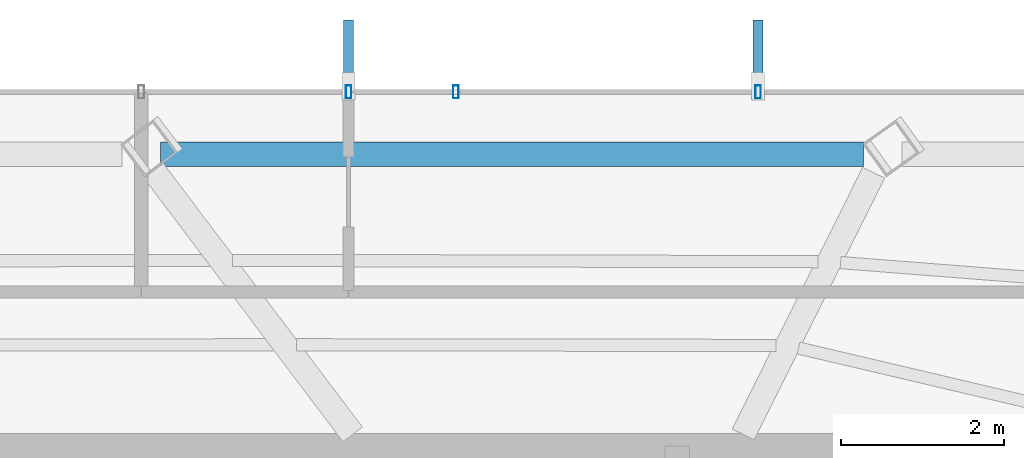
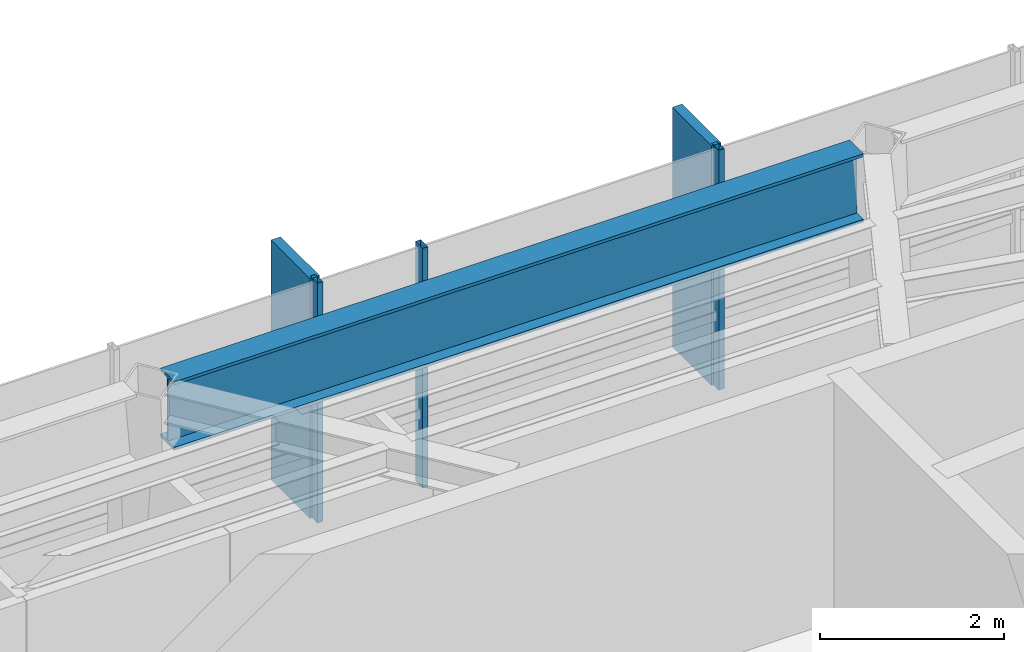
# One storey, part 15 of 25: 5 members, 1 beam, 1 element without a shape of its own.
"""IFC4 building model written with IfcOpenShell, lengths in metres."""

from ifc_helpers import new_model, si_unit, direction, frame, origin, origin_2d, place, context, subcontext, project, spatial, rectangle, hollow_rectangle, i_section, extrude, material, layer, layer_set, material_profile, profile_set, type_object, element, aggregate, save


model = new_model("IFC4")

# Units and contexts
model_context = context("Model", 3, precision=1e-05, world=origin(), true_north=direction((0.0, 1.0)))
body_context = subcontext(model_context, "Body", "Model", "MODEL_VIEW")
ifc_project = project(units=[si_unit("LENGTHUNIT", "METRE"), si_unit("AREAUNIT", "SQUARE_METRE"), si_unit("VOLUMEUNIT", "CUBIC_METRE"), si_unit("PLANEANGLEUNIT", "RADIAN"), si_unit("MASSUNIT", "GRAM", prefix="KILO")], contexts=[model_context])

# Site, building, storey
site_placement = place(None, origin())
site = spatial("IfcSite", under=ifc_project, at=site_placement, CompositionType="ELEMENT")
building_placement = place(site_placement, origin())
building = spatial("IfcBuilding", under=site, at=building_placement, Name="Zarrinselat Tower", CompositionType="ELEMENT")
storey_placement = place(building_placement, frame((0.0, 0.0, 275.39990234375)))
storey = spatial("IfcBuildingStorey", under=building, at=storey_placement, Name="L70", CompositionType="ELEMENT", Elevation=275.39990234375)

# Beam
ifc_material_1 = material(Name="Steel S460M", Category="steel")
ifc_material_profile_1 = material_profile(ifc_material_1, i_section(OverallWidth=0.302001953125, OverallDepth=0.909912109375, WebThickness=0.02099609375, FlangeThickness=0.0400390625, at=origin_2d()), Name="HEM 900")
ifc_profile_set_1 = profile_set([ifc_material_profile_1], Name="Steel S460M")
beam_type = type_object("IfcBeamType", Name="BM-HEM900", PredefinedType="BEAM", material=ifc_profile_set_1)
beam_placement = place(storey_placement, frame((38.63818359375, 46.9833984375, 2.72509765625), z_axis=(1.0, 0.0, 0.0), x_axis=(0.0, 1.0, 0.0)))
element("IfcBeam", 1, at=beam_placement, inside=storey, type_object=beam_type, Name="L70 Perimeter Spandrel Girder SP02", PredefinedType="BEAM", context=body_context, shape_type="SweptSolid", body=[
    extrude(i_section(OverallWidth=0.302001953125, OverallDepth=0.909912109375, WebThickness=0.02099609375, FlangeThickness=0.0400390625, at=origin_2d()), origin(), (0.0, 0.0, 1.0), 8.640625),
])

# Curtain wall, members
ifc_material_2 = material(Name="Extruded Aluminium Alloy EN AW-6063 T6", Category="aluminium")
ifc_layer = layer(ifc_material_2, 0.169921875)
ifc_layer_set = layer_set([ifc_layer], Name="Extruded Aluminium Alloy EN AW-6063 T6")
curtain_wall_type = type_object("IfcCurtainWallType", Name="CWS-RES", PredefinedType="NOTDEFINED", material=ifc_layer_set)
curtain_wall_placement = place(storey_placement, origin())
curtain_wall = element("IfcCurtainWall", 2, at=curtain_wall_placement, inside=storey, type_object=curtain_wall_type, Name="L70 Unitised Curtain Wall CW-L70-E01", PredefinedType="NOTDEFINED")
ifc_material_3 = material(Name="Extruded Aluminium Alloy EN AW-6063 T6", Category="aluminium")
ifc_material_profile_2 = material_profile(ifc_material_3, hollow_rectangle(XDim=0.070068359375, YDim=0.159912109375, WallThickness=0.00390625, at=origin_2d()), Name="RHS 160x70x4")
ifc_profile_set_2 = profile_set([ifc_material_profile_2], Name="Extruded Aluminium Alloy EN AW-6063 T6")
member_type_1 = type_object("IfcMemberType", Name="MEM-CW-MUL2", PredefinedType="MULLION", material=ifc_profile_set_2)
member_1_placement = place(storey_placement, frame((45.9833984375, 47.75, 0.0), z_axis=(0.0, 0.0, 1.0), x_axis=(-1.0, 0.0, 0.0)))
member_1 = element("IfcMember", 3, at=member_1_placement, type_object=member_type_1, Name="CW-L70-E01 Mullion 3", PredefinedType="MULLION", context=body_context, shape_type="SweptSolid", body=[
    extrude(hollow_rectangle(XDim=0.070068359375, YDim=0.159912109375, WallThickness=0.00390625, at=origin_2d()), origin(), (0.0, 0.0, 1.0), 3.18017578125),
])
member_2_placement = place(storey_placement, frame((42.269287109375, 47.75, 0.0), z_axis=(0.0, 0.0, 1.0), x_axis=(-1.0, 0.0, 0.0)))
member_2 = element("IfcMember", 4, at=member_2_placement, type_object=member_type_1, Name="CW-L70-E01 Mullion 4", PredefinedType="MULLION", context=body_context, shape_type="SweptSolid", body=[
    extrude(hollow_rectangle(XDim=0.070068359375, YDim=0.159912109375, WallThickness=0.00390625, at=origin_2d()), origin(), (0.0, 0.0, 1.0), 3.18017578125),
])
member_3_placement = place(storey_placement, frame((40.949951171875, 47.75, 0.0), z_axis=(0.0, 0.0, 1.0), x_axis=(-1.0, 0.0, 0.0)))
member_3 = element("IfcMember", 5, at=member_3_placement, type_object=member_type_1, Name="CW-L70-E01 Mullion 5", PredefinedType="MULLION", context=body_context, shape_type="SweptSolid", body=[
    extrude(hollow_rectangle(XDim=0.070068359375, YDim=0.159912109375, WallThickness=0.00390625, at=origin_2d()), origin(), (0.0, 0.0, 1.0), 3.18017578125),
])
ifc_material_4 = material(Name="Honed Cream Travertine Stone", Category="masonry")
ifc_material_profile_3 = material_profile(ifc_material_4, rectangle(XDim=0.1201171875, YDim=0.85009765625, at=origin_2d()), Name="FIN 850x120")
ifc_profile_set_3 = profile_set([ifc_material_profile_3], Name="Honed Cream Travertine Stone")
member_type_2 = type_object("IfcMemberType", Name="MEM-STONE-FIN", PredefinedType="USERDEFINED", material=ifc_profile_set_3)
member_4_placement = place(storey_placement, frame((45.9833984375, 48.2099609375, 0.0), z_axis=(0.0, 0.0, 1.0), x_axis=(1.0, 0.0, 0.0)))
member_4 = element("IfcMember", 6, at=member_4_placement, type_object=member_type_2, Name="L70 Stone Shading Fin CW-L70-E01-03", ObjectType="FIN", PredefinedType="USERDEFINED", context=body_context, shape_type="SweptSolid", body=[
    extrude(rectangle(XDim=0.1201171875, YDim=0.85009765625, at=origin_2d()), origin(), (0.0, 0.0, 1.0), 3.18017578125),
])
member_5_placement = place(storey_placement, frame((40.949951171875, 48.2099609375, 0.0), z_axis=(0.0, 0.0, 1.0), x_axis=(1.0, 0.0, 0.0)))
member_5 = element("IfcMember", 7, at=member_5_placement, type_object=member_type_2, Name="L70 Stone Shading Fin CW-L70-E01-05", ObjectType="FIN", PredefinedType="USERDEFINED", context=body_context, shape_type="SweptSolid", body=[
    extrude(rectangle(XDim=0.1201171875, YDim=0.85009765625, at=origin_2d()), origin(), (0.0, 0.0, 1.0), 3.18017578125),
])
aggregate(curtain_wall, [member_1, member_4, member_2, member_3, member_5])

save(model, "model.ifc")
